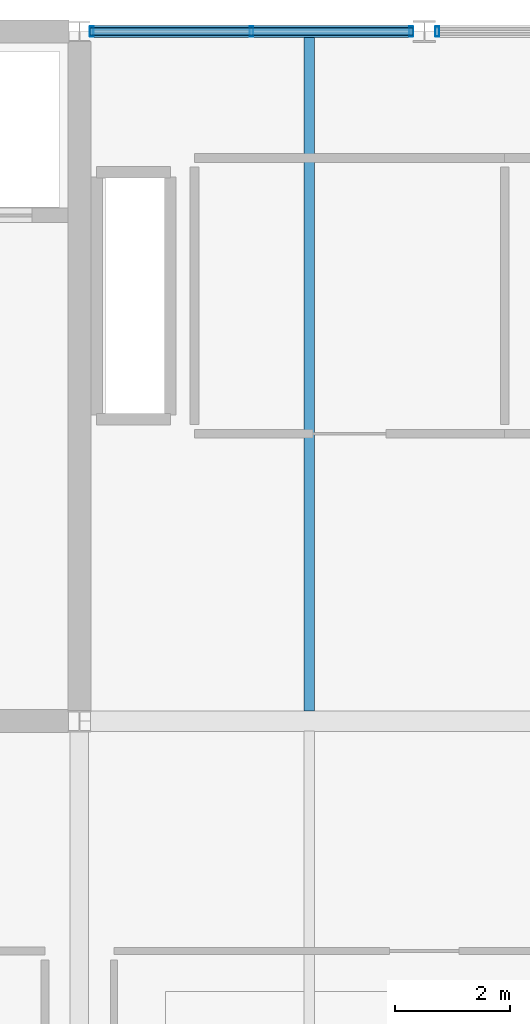
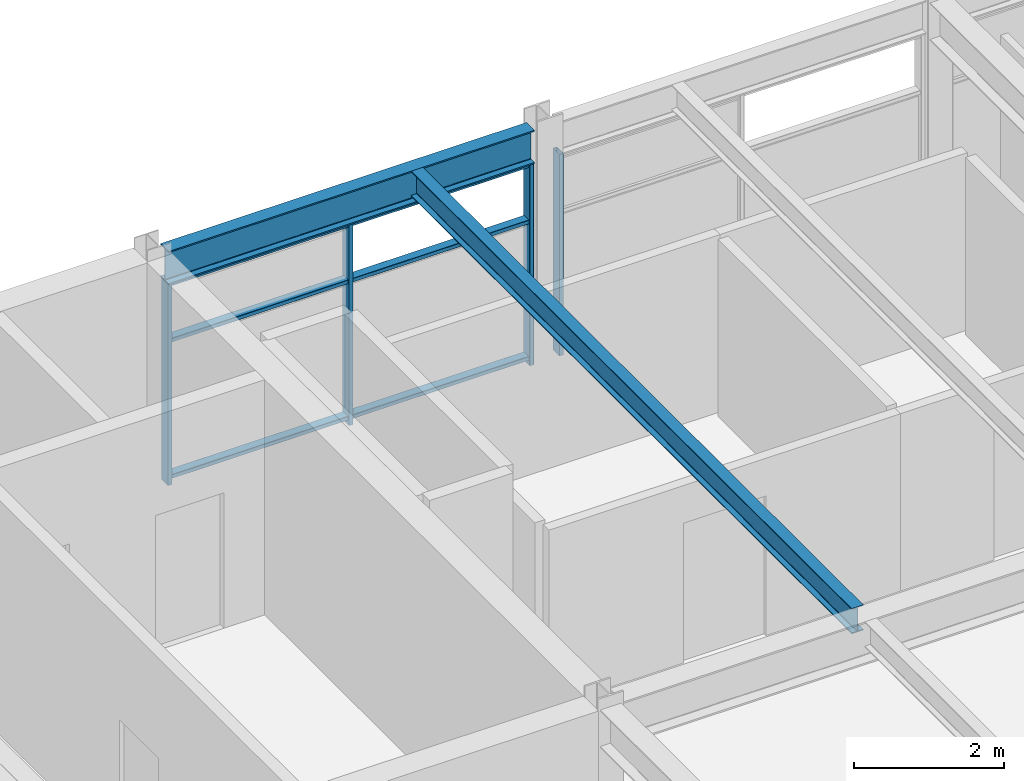
# One storey, part 12 of 40: 7 members, 2 beams, 2 elements without a shape of their own.
"""IFC4 building model written with IfcOpenShell, lengths in metres."""

from ifc_helpers import new_model, si_unit, direction, frame, origin, origin_2d, place, context, subcontext, project, spatial, hollow_rectangle, i_section, extrude, material, material_profile, profile_set, type_object, element, aggregate, save


model = new_model("IFC4")

# Units and contexts
model_context = context("Model", 3, precision=1e-05, world=origin(), true_north=direction((0.0, 1.0)))
body_context = subcontext(model_context, "Body", "Model", "MODEL_VIEW")
ifc_project = project(units=[si_unit("LENGTHUNIT", "METRE"), si_unit("AREAUNIT", "SQUARE_METRE"), si_unit("VOLUMEUNIT", "CUBIC_METRE"), si_unit("PLANEANGLEUNIT", "RADIAN"), si_unit("MASSUNIT", "GRAM", prefix="KILO")], contexts=[model_context])

# Site, building, storey
site_placement = place(None, origin())
site = spatial("IfcSite", under=ifc_project, at=site_placement, CompositionType="ELEMENT")
building_placement = place(site_placement, origin())
building = spatial("IfcBuilding", under=site, at=building_placement, Name="Girod Span Mobility Hub", CompositionType="ELEMENT")
storey_placement = place(building_placement, frame((0.0, 0.0, 53.60009765625)))
storey = spatial("IfcBuildingStorey", under=building, at=storey_placement, Name="L13", CompositionType="ELEMENT", Elevation=53.60009765625)

# Beams
ifc_material_1 = material(Name="Steel A992 Grade 50", Category="steel")
ifc_material_profile_1 = material_profile(ifc_material_1, i_section(OverallWidth=0.178955078125, OverallDepth=0.409912109375, WebThickness=0.0087890625, FlangeThickness=0.014404296875, FilletRadius=0.012939453125, at=origin_2d()), Name="W16X45")
ifc_profile_set_1 = profile_set([ifc_material_profile_1], Name="Steel A992 Grade 50")
beam_type_1 = type_object("IfcBeamType", Name="BM-STL-W16X45", PredefinedType="BEAM", material=ifc_profile_set_1)
beam_1_placement = place(storey_placement, frame((64.0, 57.174560546875, 3.60986328125), z_axis=(0.0, 1.0, 0.0), x_axis=(-1.0, 0.0, 0.0)))
element("IfcBeam", 1, at=beam_1_placement, inside=storey, type_object=beam_type_1, Name="Composite Floorbeam 6/E-1 L13", PredefinedType="BEAM", context=body_context, shape_type="SweptSolid", body=[
    extrude(i_section(OverallWidth=0.178955078125, OverallDepth=0.409912109375, WebThickness=0.0087890625, FlangeThickness=0.014404296875, FilletRadius=0.012939453125, at=origin_2d()), origin(), (0.0, 0.0, 1.0), 11.722412109375),
])
ifc_material_2 = material(Name="Steel A992 Grade 50", Category="steel")
ifc_material_profile_2 = material_profile(ifc_material_2, i_section(OverallWidth=0.2119140625, OverallDepth=0.5439453125, WebThickness=0.01318359375, FlangeThickness=0.021240234375, FilletRadius=0.014892578125, at=origin_2d()), Name="W21X83")
ifc_profile_set_2 = profile_set([ifc_material_profile_2], Name="Steel A992 Grade 50")
beam_type_2 = type_object("IfcBeamType", Name="BM-STL-W21X83", PredefinedType="SPANDREL", material=ifc_profile_set_2)
beam_2_placement = place(storey_placement, frame((60.181396484375, 69.0, 3.54296875), z_axis=(1.0, 0.0, 0.0), x_axis=(0.0, 1.0, 0.0)))
element("IfcBeam", 2, at=beam_2_placement, inside=storey, type_object=beam_type_2, Name="Spandrel Beam 6-7/F-W L13", PredefinedType="SPANDREL", context=body_context, shape_type="SweptSolid", body=[
    extrude(i_section(OverallWidth=0.2119140625, OverallDepth=0.5439453125, WebThickness=0.01318359375, FlangeThickness=0.021240234375, FilletRadius=0.014892578125, at=origin_2d()), origin(), (0.0, 0.0, 1.0), 5.62451171875),
])

# Curtain wall, members
ifc_material_3 = material(Name="Thermally Broken Anodised Aluminium", Category="aluminium")
curtain_wall_type = type_object("IfcCurtainWallType", Name="CW-562X327", PredefinedType="USERDEFINED", material=ifc_material_3)
curtain_wall_1_placement = place(storey_placement, origin())
curtain_wall_1 = element("IfcCurtainWall", 3, at=curtain_wall_1_placement, inside=storey, type_object=curtain_wall_type, Name="Unitised Curtain Wall CW-L13-N06W L13", ObjectType="UNITISED CURTAIN WALL", PredefinedType="USERDEFINED")
ifc_material_4 = material(Name="Thermally Broken Anodised Aluminium", Category="aluminium")
ifc_material_profile_3 = material_profile(ifc_material_4, hollow_rectangle(XDim=0.179931640625, YDim=0.06494140625, WallThickness=0.00390625, InnerFilletRadius=0.00390625, OuterFilletRadius=0.008056640625, at=origin_2d()), Name="CW-ML-65X180")
ifc_profile_set_3 = profile_set([ifc_material_profile_3], Name="Thermally Broken Anodised Aluminium")
member_type_1 = type_object("IfcMemberType", Name="CWM-ML-2", PredefinedType="MULLION", material=ifc_profile_set_3)
member_1_placement = place(storey_placement, frame((60.214599609375, 69.0, 0.0), z_axis=(0.0, 0.0, 1.0), x_axis=(0.0, 1.0, 0.0)))
member_1 = element("IfcMember", 4, at=member_1_placement, type_object=member_type_1, Name="Curtain Wall Mullion CW-L13-N06W-M0", PredefinedType="MULLION", context=body_context, shape_type="SweptSolid", body=[
    extrude(hollow_rectangle(XDim=0.179931640625, YDim=0.06494140625, WallThickness=0.00390625, InnerFilletRadius=0.00390625, OuterFilletRadius=0.008056640625, at=origin_2d()), origin(), (0.0, 0.0, 1.0), 3.27099609375),
])
member_2_placement = place(storey_placement, frame((62.993896484375, 69.0, 0.0), z_axis=(0.0, 0.0, 1.0), x_axis=(0.0, 1.0, 0.0)))
member_2 = element("IfcMember", 5, at=member_2_placement, type_object=member_type_1, Name="Curtain Wall Mullion CW-L13-N06W-M1", PredefinedType="MULLION", context=body_context, shape_type="SweptSolid", body=[
    extrude(hollow_rectangle(XDim=0.179931640625, YDim=0.06494140625, WallThickness=0.00390625, InnerFilletRadius=0.00390625, OuterFilletRadius=0.008056640625, at=origin_2d()), origin(), (0.0, 0.0, 1.0), 3.27099609375),
])
member_3_placement = place(storey_placement, frame((65.77294921875, 69.0, 0.0), z_axis=(0.0, 0.0, 1.0), x_axis=(0.0, 1.0, 0.0)))
member_3 = element("IfcMember", 6, at=member_3_placement, type_object=member_type_1, Name="Curtain Wall Mullion CW-L13-N06W-M2", PredefinedType="MULLION", context=body_context, shape_type="SweptSolid", body=[
    extrude(hollow_rectangle(XDim=0.179931640625, YDim=0.06494140625, WallThickness=0.00390625, InnerFilletRadius=0.00390625, OuterFilletRadius=0.008056640625, at=origin_2d()), origin(), (0.0, 0.0, 1.0), 3.27099609375),
])

# Curtain wall, member
curtain_wall_2_placement = place(storey_placement, origin())
curtain_wall_2 = element("IfcCurtainWall", 7, at=curtain_wall_2_placement, inside=storey, type_object=curtain_wall_type, Name="Unitised Curtain Wall CW-L13-N06E L13", ObjectType="UNITISED CURTAIN WALL", PredefinedType="USERDEFINED")
member_4_placement = place(storey_placement, frame((66.22705078125, 69.0, 0.0), z_axis=(0.0, 0.0, 1.0), x_axis=(0.0, 1.0, 0.0)))
member_4 = element("IfcMember", 8, at=member_4_placement, type_object=member_type_1, Name="Curtain Wall Mullion CW-L13-N06E-M0", PredefinedType="MULLION", context=body_context, shape_type="SweptSolid", body=[
    extrude(hollow_rectangle(XDim=0.179931640625, YDim=0.06494140625, WallThickness=0.00390625, InnerFilletRadius=0.00390625, OuterFilletRadius=0.008056640625, at=origin_2d()), origin(), (0.0, 0.0, 1.0), 3.27099609375),
])
aggregate(curtain_wall_2, [member_4])

# Member
ifc_material_5 = material(Name="Thermally Broken Anodised Aluminium", Category="aluminium")
ifc_material_profile_4 = material_profile(ifc_material_5, hollow_rectangle(XDim=0.135009765625, YDim=0.06494140625, WallThickness=0.00390625, InnerFilletRadius=0.00390625, OuterFilletRadius=0.008056640625, at=origin_2d()), Name="CW-TR-65X135")
ifc_profile_set_4 = profile_set([ifc_material_profile_4], Name="Thermally Broken Anodised Aluminium")
member_type_2 = type_object("IfcMemberType", Name="CWM-TR-2", PredefinedType="USERDEFINED", material=ifc_profile_set_4)
member_5_placement = place(storey_placement, frame((60.1826171875, 69.0, 0.107421875), z_axis=(1.0, 0.0, 0.0), x_axis=(0.0, 1.0, 0.0)))
member_5 = element("IfcMember", 9, at=member_5_placement, type_object=member_type_2, Name="Curtain Wall Transom CW-L13-N06W-T1", ObjectType="TRANSOM", PredefinedType="USERDEFINED", context=body_context, shape_type="SweptSolid", body=[
    extrude(hollow_rectangle(XDim=0.135009765625, YDim=0.06494140625, WallThickness=0.00390625, InnerFilletRadius=0.00390625, OuterFilletRadius=0.008056640625, at=origin_2d()), origin(), (0.0, 0.0, 1.0), 5.622314453125),
])

member_6_placement = place(storey_placement, frame((60.1826171875, 69.0, 2.322509765625), z_axis=(1.0, 0.0, 0.0), x_axis=(0.0, 1.0, 0.0)))
member_6 = element("IfcMember", 10, at=member_6_placement, type_object=member_type_2, Name="Curtain Wall Transom CW-L13-N06W-T2", ObjectType="TRANSOM", PredefinedType="USERDEFINED", context=body_context, shape_type="SweptSolid", body=[
    extrude(hollow_rectangle(XDim=0.135009765625, YDim=0.06494140625, WallThickness=0.00390625, InnerFilletRadius=0.00390625, OuterFilletRadius=0.008056640625, at=origin_2d()), origin(), (0.0, 0.0, 1.0), 5.622314453125),
])

member_7_placement = place(storey_placement, frame((60.1826171875, 69.0, 3.23828125), z_axis=(1.0, 0.0, 0.0), x_axis=(0.0, 1.0, 0.0)))
member_7 = element("IfcMember", 11, at=member_7_placement, type_object=member_type_2, Name="Curtain Wall Transom CW-L13-N06W-T3", ObjectType="TRANSOM", PredefinedType="USERDEFINED", context=body_context, shape_type="SweptSolid", body=[
    extrude(hollow_rectangle(XDim=0.135009765625, YDim=0.06494140625, WallThickness=0.00390625, InnerFilletRadius=0.00390625, OuterFilletRadius=0.008056640625, at=origin_2d()), origin(), (0.0, 0.0, 1.0), 5.622314453125),
])

aggregate(curtain_wall_1, [member_1, member_2, member_3, member_5, member_6, member_7])

save(model, "model.ifc")
